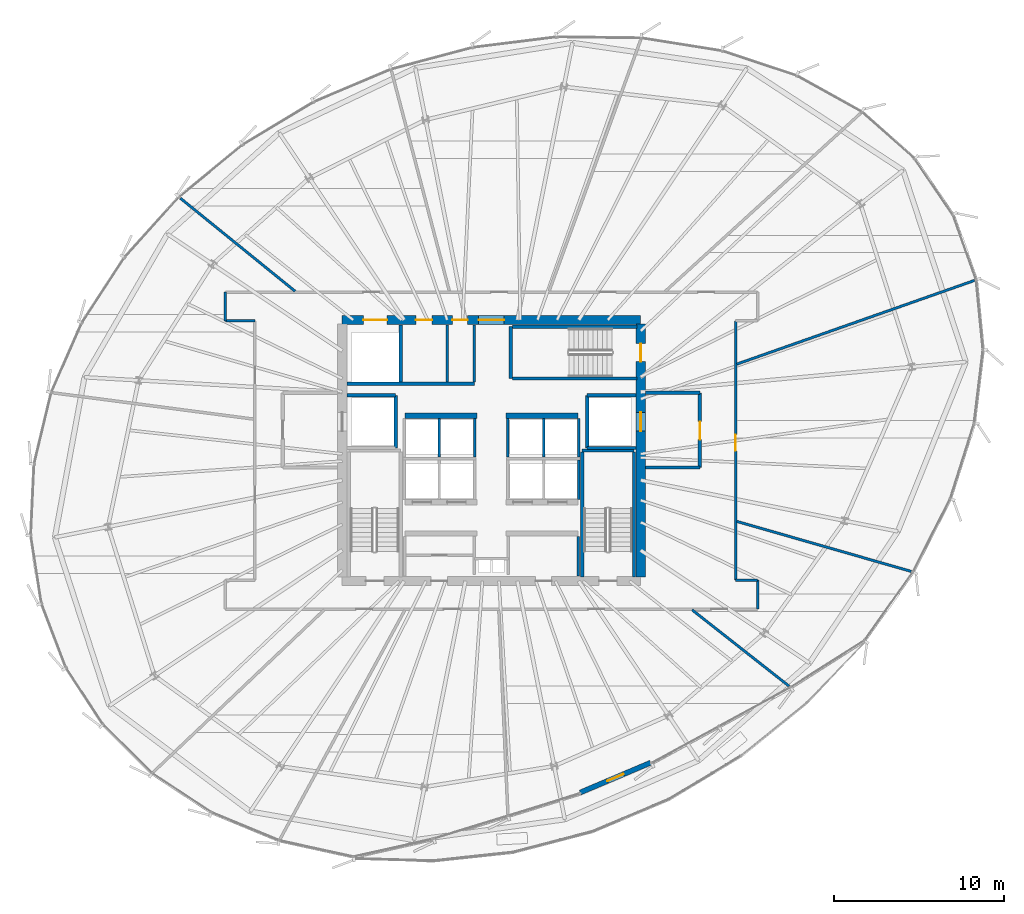
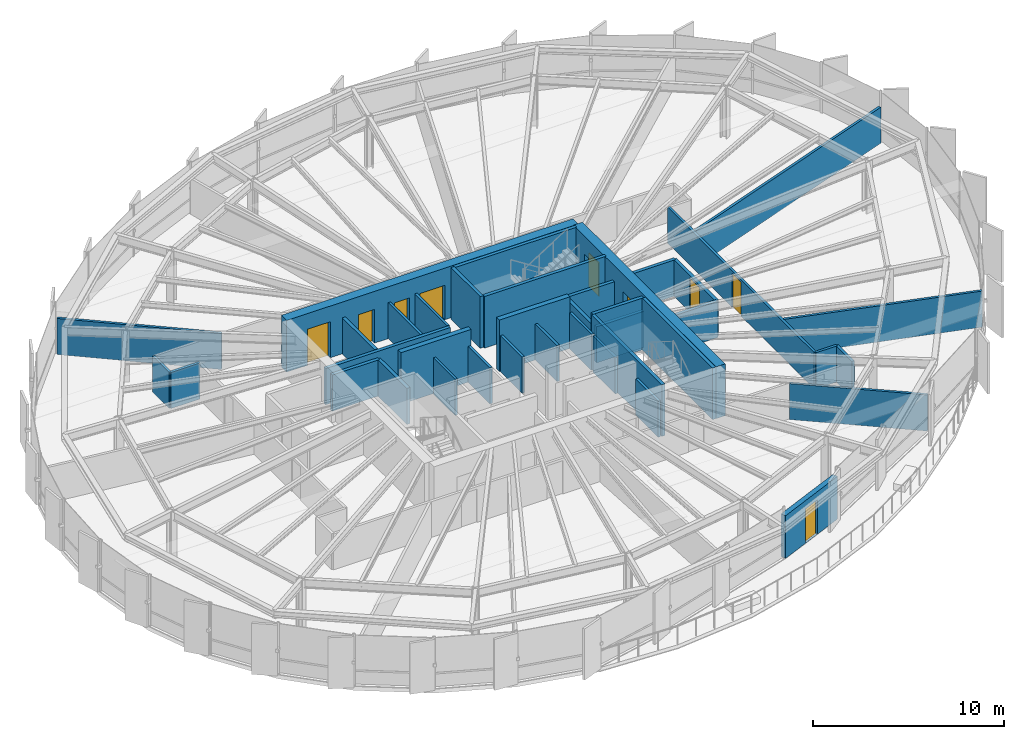
# One storey, part 30 of 36: 39 walls, 9 doors, 9 openings.
"""IFC4 building model written with IfcOpenShell, lengths in metres."""

from ifc_helpers import new_model, si_unit, direction, frame, frame_2d, origin, place, context, subcontext, project, spatial, rectangle, extrude, source, transform, mapped, material, layer, layer_set, type_object, element, fill, save


model = new_model("IFC4")

# Units and contexts
model_context = context("Model", 3, precision=1e-05, world=origin(), true_north=direction((0.0, 1.0)))
body_context = subcontext(model_context, "Body", "Model", "MODEL_VIEW")
ifc_project = project(units=[si_unit("LENGTHUNIT", "METRE"), si_unit("AREAUNIT", "SQUARE_METRE"), si_unit("VOLUMEUNIT", "CUBIC_METRE"), si_unit("PLANEANGLEUNIT", "RADIAN"), si_unit("MASSUNIT", "GRAM", prefix="KILO"), si_unit("THERMODYNAMICTEMPERATUREUNIT", "KELVIN")], contexts=[model_context])

# Site, building, storey
site_placement = place(None, origin())
site = spatial("IfcSite", under=ifc_project, at=site_placement, CompositionType="ELEMENT")
building_placement = place(site_placement, origin())
building = spatial("IfcBuilding", under=site, at=building_placement, Name="Kethvar Cultural Tower", CompositionType="ELEMENT")
storey_placement = place(building_placement, frame((0.0, 0.0, 143.0)))
storey = spatial("IfcBuildingStorey", under=building, at=storey_placement, Name="L36", CompositionType="ELEMENT", Elevation=143.0)

# Wall, openings, doors
ifc_material_1 = material(Name="Concrete C60/75", Category="concrete")
ifc_layer_1 = layer(ifc_material_1, 0.550048828125, Name="Concrete C60/75", Category="concrete")
ifc_layer_set_1 = layer_set([ifc_layer_1], Name="Concrete C60/75 (550 mm)")
wall_type_1 = type_object("IfcWallType", Name="WL-CORE-550", PredefinedType="SHEAR", material=ifc_layer_set_1)
wall_1_placement = place(storey_placement, frame((55.60009765625, 35.5, 0.0), z_axis=(0.0, 0.0, 1.0), x_axis=(-1.0, 0.0, 0.0)))
wall_1 = element("IfcWall", 1, at=wall_1_placement, inside=storey, type_object=wall_type_1, Name="L36 Core Shear Wall N", PredefinedType="SHEAR", context=body_context, shape_type="SweptSolid", body=[
    extrude(rectangle(XDim=17.60009765625, YDim=0.550048828125, at=frame_2d((8.800048828125, 0.0))), origin(), (0.0, 0.0, 1.0), 3.300048828125),
])
opening_1_placement = place(wall_1_placement, frame((8.050048828125, 0.0, 0.0)))
opening_1 = element("IfcOpeningElement", 2, at=opening_1_placement, cuts=wall_1, Name="Opening D-L36-LN", PredefinedType="OPENING", context=body_context, shape_type="SweptSolid", body=[
    extrude(rectangle(XDim=1.5, YDim=2.199951171875, at=frame_2d((0.75, 1.10009765625))), frame((0.0, 0.284912109375, 0.0), z_axis=(0.0, -1.0, 0.0), x_axis=(1.0, 0.0, 0.0)), (0.0, 0.0, 1.0), 0.570068359375),
])
opening_2_placement = place(wall_1_placement, frame((14.949951171875, 0.0, 0.0)))
opening_2 = element("IfcOpeningElement", 3, at=opening_2_placement, cuts=wall_1, Name="Opening LD-G1", PredefinedType="OPENING", context=body_context, shape_type="SweptSolid", body=[
    extrude(rectangle(XDim=1.39990234375, YDim=2.300048828125, at=frame_2d((0.699951171875, 1.14990234375))), frame((0.0, 0.284912109375, 0.0), z_axis=(0.0, -1.0, 0.0), x_axis=(1.0, 0.0, 0.0)), (0.0, 0.0, 1.0), 0.570068359375),
])
opening_3_placement = place(wall_1_placement, frame((12.300048828125, 0.0, 0.0)))
opening_3 = element("IfcOpeningElement", 4, at=opening_3_placement, cuts=wall_1, Name="Opening D-L36-W1", PredefinedType="OPENING", context=body_context, shape_type="SweptSolid", body=[
    extrude(rectangle(XDim=0.949951171875, YDim=2.14990234375, at=frame_2d((0.47509765625, 1.074951171875))), frame((0.0, 0.284912109375, 0.0), z_axis=(0.0, -1.0, 0.0), x_axis=(1.0, 0.0, 0.0)), (0.0, 0.0, 1.0), 0.570068359375),
])
opening_4_placement = place(wall_1_placement, frame((10.199951171875, 0.0, 0.0)))
opening_4 = element("IfcOpeningElement", 5, at=opening_4_placement, cuts=wall_1, Name="Opening D-L36-W2", PredefinedType="OPENING", context=body_context, shape_type="SweptSolid", body=[
    extrude(rectangle(XDim=0.89990234375, YDim=2.14990234375, at=frame_2d((0.449951171875, 1.074951171875))), frame((0.0, 0.284912109375, 0.0), z_axis=(0.0, -1.0, 0.0), x_axis=(1.0, 0.0, 0.0)), (0.0, 0.0, 1.0), 0.570068359375),
])
ifc_material_2 = material(Name="Architectural Oak Timber", Category="wood")
door_type_1 = type_object("IfcDoorType", Name="DR-DBL-FD60-1500", OperationType="DOUBLE_DOOR_SINGLE_SWING", PredefinedType="DOOR", material=ifc_material_2)
shared_shape_1 = source(origin(), body_context, "Body", "SweptSolid", [
    extrude(rectangle(XDim=1.5, YDim=2.199951171875, at=frame_2d((0.75, 1.10009765625))), frame((0.0, 0.02490234375, 0.0), z_axis=(0.0, -1.0, 0.0), x_axis=(1.0, 0.0, 0.0)), (0.0, 0.0, 1.0), 0.050048828125),
])
door_1_placement = place(opening_1_placement, origin())
door_1 = element("IfcDoor", 6, at=door_1_placement, inside=storey, type_object=door_type_1, Name="L36 Lift Lobby Concourse Door", OperationType="DOUBLE_DOOR_SINGLE_SWING", OverallHeight=2.199951171875, OverallWidth=1.5, PredefinedType="DOOR", context=body_context, shape_type="MappedRepresentation", body=[
    mapped(shared_shape_1, transform((0.0, 0.0, 0.0), scale=1.0)),
])
fill(opening_1, door_1)
ifc_material_3 = material(Name="Steel S355J2", Category="steel")
door_type_2 = type_object("IfcDoorType", Name="DR-LIFT-SLIDE-1400", OperationType="NOTDEFINED", PredefinedType="DOOR", material=ifc_material_3)
shared_shape_2 = source(origin(), body_context, "Body", "SweptSolid", [
    extrude(rectangle(XDim=1.39990234375, YDim=2.300048828125, at=frame_2d((0.699951171875, 1.14990234375))), frame((0.0, 0.02490234375, 0.0), z_axis=(0.0, -1.0, 0.0), x_axis=(1.0, 0.0, 0.0)), (0.0, 0.0, 1.0), 0.050048828125),
])
door_2_placement = place(opening_2_placement, origin())
door_2 = element("IfcDoor", 7, at=door_2_placement, inside=storey, type_object=door_type_2, Name="L36 Goods Lift Landing Door", OperationType="SLIDING_TO_RIGHT", OverallHeight=2.300048828125, OverallWidth=1.39990234375, PredefinedType="DOOR", context=body_context, shape_type="MappedRepresentation", body=[
    mapped(shared_shape_2, transform((0.0, 0.0, 0.0), scale=1.0)),
])
fill(opening_2, door_2)
door_type_3 = type_object("IfcDoorType", Name="DR-FD30-950", OperationType="NOTDEFINED", PredefinedType="DOOR", material=ifc_material_2)
shared_shape_3 = source(origin(), body_context, "Body", "SweptSolid", [
    extrude(rectangle(XDim=0.949951171875, YDim=2.14990234375, at=frame_2d((0.47509765625, 1.074951171875))), frame((0.0, 0.02490234375, 0.0), z_axis=(0.0, -1.0, 0.0), x_axis=(1.0, 0.0, 0.0)), (0.0, 0.0, 1.0), 0.050048828125),
])
door_3_placement = place(opening_3_placement, origin())
door_3 = element("IfcDoor", 8, at=door_3_placement, inside=storey, type_object=door_type_3, Name="L36 Public Washroom Door", OperationType="SINGLE_SWING_LEFT", OverallHeight=2.14990234375, OverallWidth=0.949951171875, PredefinedType="DOOR", context=body_context, shape_type="MappedRepresentation", body=[
    mapped(shared_shape_3, transform((0.0, 0.0, 0.0), scale=1.0)),
])
fill(opening_3, door_3)
door_type_4 = type_object("IfcDoorType", Name="DR-FD30-900", OperationType="NOTDEFINED", PredefinedType="DOOR", material=ifc_material_2)
shared_shape_4 = source(origin(), body_context, "Body", "SweptSolid", [
    extrude(rectangle(XDim=0.89990234375, YDim=2.14990234375, at=frame_2d((0.449951171875, 1.074951171875))), frame((0.0, 0.02490234375, 0.0), z_axis=(0.0, -1.0, 0.0), x_axis=(1.0, 0.0, 0.0)), (0.0, 0.0, 1.0), 0.050048828125),
])
door_4_placement = place(opening_4_placement, origin())
door_4 = element("IfcDoor", 9, at=door_4_placement, inside=storey, type_object=door_type_4, Name="L36 Accessible Washroom Door", OperationType="SINGLE_SWING_RIGHT", OverallHeight=2.14990234375, OverallWidth=0.89990234375, PredefinedType="DOOR", context=body_context, shape_type="MappedRepresentation", body=[
    mapped(shared_shape_4, transform((0.0, 0.0, 0.0), scale=1.0)),
])
fill(opening_4, door_4)

wall_2_placement = place(storey_placement, frame((55.60009765625, 20.340087890625, 0.0), z_axis=(0.0, 0.0, 1.0), x_axis=(0.0, 1.0, 0.0)))
wall_2 = element("IfcWall", 10, at=wall_2_placement, inside=storey, type_object=wall_type_1, Name="L36 Core Shear Wall E", PredefinedType="SHEAR", context=body_context, shape_type="SweptSolid", body=[
    extrude(rectangle(XDim=14.919921875, YDim=0.550048828125, at=frame_2d((7.4599609375, 0.0))), origin(), (0.0, 0.0, 1.0), 3.300048828125),
])
opening_5_placement = place(wall_2_placement, frame((12.7099609375, 0.0, 0.0)))
opening_5 = element("IfcOpeningElement", 11, at=opening_5_placement, cuts=wall_2, Name="Opening D-L36-S3", PredefinedType="OPENING", context=body_context, shape_type="SweptSolid", body=[
    extrude(rectangle(XDim=1.050048828125, YDim=2.14990234375, at=frame_2d((0.52490234375, 1.074951171875))), frame((0.0, 0.284912109375, 0.0), z_axis=(0.0, -1.0, 0.0), x_axis=(1.0, 0.0, 0.0)), (0.0, 0.0, 1.0), 0.570068359375),
])
opening_6_placement = place(wall_2_placement, frame((8.610107421875, 0.0, 0.0)))
opening_6 = element("IfcOpeningElement", 12, at=opening_6_placement, cuts=wall_2, Name="Opening LD-2", PredefinedType="OPENING", context=body_context, shape_type="SweptSolid", body=[
    extrude(rectangle(XDim=1.10009765625, YDim=2.199951171875, at=frame_2d((0.550048828125, 1.10009765625))), frame((0.0, 0.284912109375, 0.0), z_axis=(0.0, -1.0, 0.0), x_axis=(1.0, 0.0, 0.0)), (0.0, 0.0, 1.0), 0.570068359375),
])
door_type_5 = type_object("IfcDoorType", Name="DR-FD60-1050", OperationType="NOTDEFINED", PredefinedType="DOOR", material=ifc_material_3)
shared_shape_5 = source(origin(), body_context, "Body", "SweptSolid", [
    extrude(rectangle(XDim=1.050048828125, YDim=2.14990234375, at=frame_2d((0.52490234375, 1.074951171875))), frame((0.0, 0.02490234375, 0.0), z_axis=(0.0, -1.0, 0.0), x_axis=(1.0, 0.0, 0.0)), (0.0, 0.0, 1.0), 0.050048828125),
])
door_5_placement = place(opening_5_placement, origin())
door_5 = element("IfcDoor", 13, at=door_5_placement, inside=storey, type_object=door_type_5, Name="L36 Exit Stair 3 Door", OperationType="SINGLE_SWING_LEFT", OverallHeight=2.14990234375, OverallWidth=1.050048828125, PredefinedType="DOOR", context=body_context, shape_type="MappedRepresentation", body=[
    mapped(shared_shape_5, transform((0.0, 0.0, 0.0), scale=1.0)),
])
fill(opening_5, door_5)
door_type_6 = type_object("IfcDoorType", Name="DR-LIFT-SLIDE-1100", OperationType="NOTDEFINED", PredefinedType="DOOR", material=ifc_material_3)
shared_shape_6 = source(origin(), body_context, "Body", "SweptSolid", [
    extrude(rectangle(XDim=1.10009765625, YDim=2.199951171875, at=frame_2d((0.550048828125, 1.10009765625))), frame((0.0, 0.02490234375, 0.0), z_axis=(0.0, -1.0, 0.0), x_axis=(1.0, 0.0, 0.0)), (0.0, 0.0, 1.0), 0.050048828125),
])
door_6_placement = place(opening_6_placement, origin())
door_6 = element("IfcDoor", 14, at=door_6_placement, inside=storey, type_object=door_type_6, Name="L36 Firefighting Lift Landing Door FFL-02", OperationType="SLIDING_TO_RIGHT", OverallHeight=2.199951171875, OverallWidth=1.10009765625, PredefinedType="DOOR", context=body_context, shape_type="MappedRepresentation", body=[
    mapped(shared_shape_6, transform((0.0, 0.0, 0.0), scale=1.0)),
])
fill(opening_6, door_6)

# Wall, opening, door
ifc_material_4 = material(Name="Concrete C40/50", Category="concrete")
ifc_layer_2 = layer(ifc_material_4, 0.300048828125, Name="Concrete C40/50", Category="concrete")
ifc_layer_set_2 = layer_set([ifc_layer_2], Name="Concrete C40/50 (300 mm)")
wall_type_2 = type_object("IfcWallType", Name="WL-EXT-TER-300", PredefinedType="SOLIDWALL", material=ifc_layer_set_2)
wall_3_placement = place(storey_placement, frame((56.19384765625, 9.38818359375, 0.0), z_axis=(0.0, 0.0, 1.0), x_axis=(-0.920663095643, -0.390358123166, 0.0)))
wall_3 = element("IfcWall", 15, at=wall_3_placement, inside=storey, type_object=wall_type_2, Name="L36 Sky Terrace Access Wall", PredefinedType="SOLIDWALL", context=body_context, shape_type="SweptSolid", body=[
    extrude(rectangle(XDim=4.51318359375, YDim=0.300048828125, at=frame_2d((2.256591796875, 0.0))), origin(), (0.0, 0.0, 1.0), 2.72509765625),
])
opening_7_placement = place(wall_3_placement, frame((1.7314453125, 0.0, 0.0)))
opening_7 = element("IfcOpeningElement", 16, at=opening_7_placement, cuts=wall_3, Name="Opening D-L36-T1", PredefinedType="OPENING", context=body_context, shape_type="SweptSolid", body=[
    extrude(rectangle(XDim=1.050048828125, YDim=2.199951171875, at=frame_2d((0.52490234375, 1.10009765625))), frame((0.0, 0.159912109375, 0.0), z_axis=(0.0, -1.0, 0.0), x_axis=(1.0, 0.0, 0.0)), (0.0, 0.0, 1.0), 0.320068359375),
])
ifc_material_5 = material(Name="Aluminium 6063-T6", Category="aluminium")
door_type_7 = type_object("IfcDoorType", Name="DR-EXT-TER-1050", OperationType="NOTDEFINED", PredefinedType="DOOR", material=ifc_material_5)
shared_shape_7 = source(origin(), body_context, "Body", "SweptSolid", [
    extrude(rectangle(XDim=1.050048828125, YDim=2.199951171875, at=frame_2d((0.52490234375, 1.10009765625))), frame((0.0, 0.02490234375, 0.0), z_axis=(0.0, -1.0, 0.0), x_axis=(1.0, 0.0, 0.0)), (0.0, 0.0, 1.0), 0.050048828125),
])
door_7_placement = place(opening_7_placement, origin())
door_7 = element("IfcDoor", 17, at=door_7_placement, inside=storey, type_object=door_type_7, Name="L36 Sky Terrace Access Door D-L36-T1", OperationType="SINGLE_SWING_LEFT", OverallHeight=2.199951171875, OverallWidth=1.050048828125, PredefinedType="DOOR", context=body_context, shape_type="MappedRepresentation", body=[
    mapped(shared_shape_7, transform((0.0, 0.0, 0.0), scale=1.0)),
])
fill(opening_7, door_7)

# Walls
ifc_material_6 = material(Name="Gypsum Fireboard Partition")
ifc_layer_3 = layer(ifc_material_6, 0.14990234375, Name="Gypsum Fireboard Partition")
ifc_layer_set_3 = layer_set([ifc_layer_3], Name="Gypsum Fireboard Partition (150 mm)")
wall_type_3 = type_object("IfcWallType", Name="WL-FIRE-150", PredefinedType="PARTITIONING", material=ifc_layer_set_3)
wall_4_placement = place(storey_placement, frame((51.919921875, 20.385009765625, 0.0), z_axis=(0.0, 0.0, 1.0), x_axis=(0.0, 1.0, 0.0)))
element("IfcWall", 18, at=wall_4_placement, inside=storey, type_object=wall_type_3, Name="L36 Reclaimed East Outer Wall", PredefinedType="PARTITIONING", context=body_context, shape_type="SweptSolid", body=[
    extrude(rectangle(XDim=2.344970703125, YDim=0.14990234375, at=frame_2d((1.17236328125, 0.0))), origin(), (0.0, 0.0, 1.0), 2.304931640625),
])
wall_5_placement = place(storey_placement, frame((51.949951171875, 24.919921875, 0.0), z_axis=(0.0, 0.0, 1.0), x_axis=(0.0, 1.0, 0.0)))
element("IfcWall", 19, at=wall_5_placement, inside=storey, type_object=wall_type_3, Name="L36 Mid-Rise Lift Shaft Outer Wall E", PredefinedType="PARTITIONING", context=body_context, shape_type="SweptSolid", body=[
    extrude(rectangle(XDim=2.320068359375, YDim=0.14990234375, at=frame_2d((1.16015625, 0.0))), origin(), (0.0, 0.0, 1.0), 2.304931640625),
])
for number, where, z_axis, x_axis, name in (
    (20, (43.72509765625, 27.409912109375, 0.0), (0.0, 0.0, 1.0), (0.0, 1.0, 0.0), "L36 High-Rise Lift Shaft Divider W"),
    (21, (45.824951171875, 27.409912109375, 0.0), (0.0, 0.0, 1.0), (0.0, 1.0, 0.0), "L36 High-Rise Lift Shaft Concourse Wall W"),
    (22, (47.77490234375, 27.409912109375, 0.0), (0.0, 0.0, 1.0), (0.0, 1.0, 0.0), "L36 High-Rise Lift Shaft Concourse Wall E"),
    (23, (49.875, 27.409912109375, 0.0), (0.0, 0.0, 1.0), (0.0, 1.0, 0.0), "L36 High-Rise Lift Shaft Divider E"),
    (24, (51.949951171875, 27.409912109375, 0.0), (0.0, 0.0, 1.0), (0.0, 1.0, 0.0), "L36 High-Rise Lift Shaft Outer Wall E"),
):
    element("IfcWall", number, at=place(storey_placement, frame(where, z_axis=z_axis, x_axis=x_axis)), inside=storey, type_object=wall_type_3, Name=name, PredefinedType="PARTITIONING", context=body_context, shape_type="SweptSolid", body=[
        extrude(rectangle(XDim=2.27001953125, YDim=0.14990234375, at=frame_2d((1.135009765625, 0.0))), origin(), (0.0, 0.0, 1.0), 2.304931640625),
    ])
wall_6_placement = place(storey_placement, frame((45.800048828125, 31.85009765625, 0.0), z_axis=(0.0, 0.0, 1.0), x_axis=(0.0, 1.0, 0.0)))
element("IfcWall", 25, at=wall_6_placement, inside=storey, type_object=wall_type_3, Name="L36 Sanitary Spine Wall", PredefinedType="PARTITIONING", context=body_context, shape_type="SweptSolid", body=[
    extrude(rectangle(XDim=3.364990234375, YDim=0.14990234375, at=frame_2d((1.6826171875, 0.0))), origin(), (0.0, 0.0, 1.0), 2.304931640625),
])
wall_7_placement = place(storey_placement, frame((62.5, 18.449951171875, 0.0), z_axis=(0.0, 0.0, 1.0), x_axis=(0.0, 1.0, 0.0)))
element("IfcWall", 26, at=wall_7_placement, inside=storey, type_object=wall_type_3, Name="L36 Corridor Rated Wall ES", PredefinedType="PARTITIONING", context=body_context, shape_type="SweptSolid", body=[
    extrude(rectangle(XDim=1.699951171875, YDim=0.14990234375, at=frame_2d((0.85009765625, 0.0))), origin(), (0.0, 0.0, 1.0), 2.304931640625),
])
wall_8_placement = place(storey_placement, frame((62.5, 20.14990234375, 0.0), z_axis=(0.0, 0.0, 1.0), x_axis=(-1.0, 0.0, 0.0)))
element("IfcWall", 27, at=wall_8_placement, inside=storey, type_object=wall_type_3, Name="L36 Corridor Rated Wall EST", PredefinedType="PARTITIONING", context=body_context, shape_type="SweptSolid", body=[
    extrude(rectangle(XDim=1.300048828125, YDim=0.14990234375, at=frame_2d((0.64990234375, 0.0))), origin(), (0.0, 0.0, 1.0), 2.304931640625),
])

# Wall, opening, door
wall_9_placement = place(storey_placement, frame((61.199951171875, 20.14990234375, 0.0), z_axis=(0.0, 0.0, 1.0), x_axis=(0.0, 1.0, 0.0)))
wall_9 = element("IfcWall", 28, at=wall_9_placement, inside=storey, type_object=wall_type_3, Name="L36 Corridor Rated Wall EM", PredefinedType="PARTITIONING", context=body_context, shape_type="SweptSolid", body=[
    extrude(rectangle(XDim=15.300048828125, YDim=0.14990234375, at=frame_2d((7.64990234375, 0.0))), origin(), (0.0, 0.0, 1.0), 2.304931640625),
])
opening_8_placement = place(wall_9_placement, frame((7.6337890625, 0.0, 0.0)))
opening_8 = element("IfcOpeningElement", 29, at=opening_8_placement, cuts=wall_9, Name="Opening D-L36-05", PredefinedType="OPENING", context=body_context, shape_type="SweptSolid", body=[
    extrude(rectangle(XDim=0.949951171875, YDim=2.14990234375, at=frame_2d((0.47509765625, 1.074951171875))), frame((0.0, 0.0849609375, 0.0), z_axis=(0.0, -1.0, 0.0), x_axis=(1.0, 0.0, 0.0)), (0.0, 0.0, 1.0), 0.169921875),
])
door_8_placement = place(opening_8_placement, origin())
door_8 = element("IfcDoor", 30, at=door_8_placement, inside=storey, type_object=door_type_3, Name="L36 Modernist Music Salon 05 Door", OperationType="SINGLE_SWING_LEFT", OverallHeight=2.14990234375, OverallWidth=0.949951171875, PredefinedType="DOOR", context=body_context, shape_type="MappedRepresentation", body=[
    mapped(shared_shape_3, transform((0.0, 0.0, 0.0), scale=1.0)),
])
fill(opening_8, door_8)

# Walls
wall_10_placement = place(storey_placement, frame((31.10009765625, 37.14990234375, 0.0), z_axis=(0.0, 0.0, 1.0), x_axis=(0.0, -1.0, 0.0)))
element("IfcWall", 31, at=wall_10_placement, inside=storey, type_object=wall_type_3, Name="L36 Corridor Rated Wall WN", PredefinedType="PARTITIONING", context=body_context, shape_type="SweptSolid", body=[
    extrude(rectangle(XDim=1.699951171875, YDim=0.14990234375, at=frame_2d((0.85009765625, 0.0))), origin(), (0.0, 0.0, 1.0), 2.304931640625),
])
wall_11_placement = place(storey_placement, frame((31.10009765625, 35.449951171875, 0.0), z_axis=(0.0, 0.0, 1.0), x_axis=(1.0, 0.0, 0.0)))
element("IfcWall", 32, at=wall_11_placement, inside=storey, type_object=wall_type_3, Name="L36 Corridor Rated Wall WNT", PredefinedType="PARTITIONING", context=body_context, shape_type="SweptSolid", body=[
    extrude(rectangle(XDim=1.75, YDim=0.14990234375, at=frame_2d((0.875, 0.0))), origin(), (0.0, 0.0, 1.0), 2.304931640625),
])
ifc_layer_4 = layer(ifc_material_4, 0.199951171875, Name="Concrete C40/50", Category="concrete")
ifc_layer_set_4 = layer_set([ifc_layer_4], Name="Concrete C40/50 (200 mm)")
wall_type_4 = type_object("IfcWallType", Name="WL-FIRE-200", PredefinedType="PARTITIONING", material=ifc_layer_set_4)
wall_12_placement = place(storey_placement, frame((41.14990234375, 27.949951171875, 0.0), z_axis=(0.0, 0.0, 1.0), x_axis=(0.0, 1.0, 0.0)))
element("IfcWall", 33, at=wall_12_placement, inside=storey, type_object=wall_type_4, Name="L36 FFL-01 Shaft Inner Wall", PredefinedType="PARTITIONING", context=body_context, shape_type="SweptSolid", body=[
    extrude(rectangle(XDim=3.10009765625, YDim=0.199951171875, at=frame_2d((1.550048828125, 0.0))), origin(), (0.0, 0.0, 1.0), 2.304931640625),
])
wall_13_placement = place(storey_placement, frame((38.284912109375, 31.050048828125, 0.0), z_axis=(0.0, 0.0, 1.0), x_axis=(1.0, 0.0, 0.0)))
element("IfcWall", 34, at=wall_13_placement, inside=storey, type_object=wall_type_4, Name="L36 FFL-01 Shaft North Wall", PredefinedType="PARTITIONING", context=body_context, shape_type="SweptSolid", body=[
    extrude(rectangle(XDim=2.864990234375, YDim=0.199951171875, at=frame_2d((1.4326171875, 0.0))), origin(), (0.0, 0.0, 1.0), 2.304931640625),
])
wall_14_placement = place(storey_placement, frame((52.449951171875, 27.949951171875, 0.0), z_axis=(0.0, 0.0, 1.0), x_axis=(0.0, 1.0, 0.0)))
element("IfcWall", 35, at=wall_14_placement, inside=storey, type_object=wall_type_4, Name="L36 FFL-02 Shaft Inner Wall", PredefinedType="PARTITIONING", context=body_context, shape_type="SweptSolid", body=[
    extrude(rectangle(XDim=3.10009765625, YDim=0.199951171875, at=frame_2d((1.550048828125, 0.0))), origin(), (0.0, 0.0, 1.0), 2.304931640625),
])
for number, where, z_axis, x_axis, name in (
    (36, (52.449951171875, 27.949951171875, 0.0), (0.0, 0.0, 1.0), (1.0, 0.0, 0.0), "L36 FFL-02 Shaft South Wall"),
    (37, (52.449951171875, 31.050048828125, 0.0), (0.0, 0.0, 1.0), (1.0, 0.0, 0.0), "L36 FFL-02 Shaft North Wall"),
):
    element("IfcWall", number, at=place(storey_placement, frame(where, z_axis=z_axis, x_axis=x_axis)), inside=storey, type_object=wall_type_4, Name=name, PredefinedType="PARTITIONING", context=body_context, shape_type="SweptSolid", body=[
        extrude(rectangle(XDim=2.864990234375, YDim=0.199951171875, at=frame_2d((1.4326171875, 0.0))), origin(), (0.0, 0.0, 1.0), 2.304931640625),
    ])

# Wall, opening, door
wall_15_placement = place(storey_placement, frame((59.10009765625, 26.800048828125, 0.0), z_axis=(0.0, 0.0, 1.0), x_axis=(0.0, 1.0, 0.0)))
wall_15 = element("IfcWall", 38, at=wall_15_placement, inside=storey, type_object=wall_type_4, Name="L36 Firefighting Lobby 2 Wall", PredefinedType="PARTITIONING", context=body_context, shape_type="SweptSolid", body=[
    extrude(rectangle(XDim=4.39990234375, YDim=0.199951171875, at=frame_2d((2.199951171875, 0.0))), origin(), (0.0, 0.0, 1.0), 2.304931640625),
])
opening_9_placement = place(wall_15_placement, frame((1.64990234375, 0.0, 0.0)))
opening_9 = element("IfcOpeningElement", 39, at=opening_9_placement, cuts=wall_15, Name="Opening D-L36-F2", PredefinedType="OPENING", context=body_context, shape_type="SweptSolid", body=[
    extrude(rectangle(XDim=1.050048828125, YDim=2.14990234375, at=frame_2d((0.52490234375, 1.074951171875))), frame((0.0, 0.10986328125, 0.0), z_axis=(0.0, -1.0, 0.0), x_axis=(1.0, 0.0, 0.0)), (0.0, 0.0, 1.0), 0.219970703125),
])
door_9_placement = place(opening_9_placement, origin())
door_9 = element("IfcDoor", 40, at=door_9_placement, inside=storey, type_object=door_type_5, Name="L36 Firefighting Lobby 2 Fire Door", OperationType="SINGLE_SWING_LEFT", OverallHeight=2.14990234375, OverallWidth=1.050048828125, PredefinedType="DOOR", context=body_context, shape_type="MappedRepresentation", body=[
    mapped(shared_shape_5, transform((0.0, 0.0, 0.0), scale=1.0)),
])
fill(opening_9, door_9)

# Walls
for number, where, z_axis, x_axis, name in (
    (41, (55.885009765625, 26.800048828125, 0.0), (0.0, 0.0, 1.0), (1.0, 0.0, 0.0), "L36 FF Lobby 2 South Wall"),
    (42, (55.885009765625, 31.199951171875, 0.0), (0.0, 0.0, 1.0), (1.0, 0.0, 0.0), "L36 FF Lobby 2 North Wall"),
):
    element("IfcWall", number, at=place(storey_placement, frame(where, z_axis=z_axis, x_axis=x_axis)), inside=storey, type_object=wall_type_4, Name=name, PredefinedType="PARTITIONING", context=body_context, shape_type="SweptSolid", body=[
        extrude(rectangle(XDim=3.215087890625, YDim=0.199951171875, at=frame_2d((1.607421875, 0.0))), origin(), (0.0, 0.0, 1.0), 2.304931640625),
    ])
wall_16_placement = place(storey_placement, frame((41.449951171875, 31.85009765625, 0.0), z_axis=(0.0, 0.0, 1.0), x_axis=(0.0, 1.0, 0.0)))
element("IfcWall", 43, at=wall_16_placement, inside=storey, type_object=wall_type_4, Name="L36 NW Core Pocket Wall", PredefinedType="PARTITIONING", context=body_context, shape_type="SweptSolid", body=[
    extrude(rectangle(XDim=3.364990234375, YDim=0.199951171875, at=frame_2d((1.6826171875, 0.0))), origin(), (0.0, 0.0, 1.0), 2.304931640625),
])
wall_17_placement = place(storey_placement, frame((38.284912109375, 31.72998046875, 0.0), z_axis=(0.0, 0.0, 1.0), x_axis=(1.0, 0.0, 0.0)))
element("IfcWall", 44, at=wall_17_placement, inside=storey, type_object=wall_type_4, Name="L36 North Core Sanitary South Wall", PredefinedType="PARTITIONING", context=body_context, shape_type="SweptSolid", body=[
    extrude(rectangle(XDim=7.51513671875, YDim=0.199951171875, at=frame_2d((3.757568359375, 0.0))), origin(), (0.0, 0.0, 1.0), 2.304931640625),
])
ifc_material_7 = material(Name="Gypsum Acoustic Partition")
ifc_layer_5 = layer(ifc_material_7, 0.14990234375, Name="Gypsum Acoustic Partition")
ifc_layer_set_5 = layer_set([ifc_layer_5], Name="Gypsum Acoustic Partition (150 mm)")
wall_type_5 = type_object("IfcWallType", Name="WL-PART-150", PredefinedType="PARTITIONING", material=ifc_layer_set_5)
wall_18_placement = place(storey_placement, frame((58.636962890625, 18.400634765625, 0.0), z_axis=(0.0, 0.0, 1.0), x_axis=(0.786094042095, -0.618106913877, 0.0)))
element("IfcWall", 45, at=wall_18_placement, inside=storey, type_object=wall_type_5, Name="L36 Radial Partition Wall 04", PredefinedType="PARTITIONING", context=body_context, shape_type="SweptSolid", body=[
    extrude(rectangle(XDim=7.291259765625, YDim=0.14990234375, at=frame_2d((3.6455078125, 0.0))), origin(), (0.0, 0.0, 1.0), 2.304931640625),
])
wall_19_placement = place(storey_placement, frame((61.27685546875, 23.61962890625, 0.0), z_axis=(0.0, 0.0, 1.0), x_axis=(0.961271434094, -0.275603392568, 0.0)))
element("IfcWall", 46, at=wall_19_placement, inside=storey, type_object=wall_type_5, Name="L36 Radial Partition Wall 05", PredefinedType="PARTITIONING", context=body_context, shape_type="SweptSolid", body=[
    extrude(rectangle(XDim=10.70703125, YDim=0.14990234375, at=frame_2d((5.353515625, 0.0))), origin(), (0.0, 0.0, 1.0), 2.304931640625),
])
wall_20_placement = place(storey_placement, frame((61.275390625, 32.89697265625, 0.0), z_axis=(0.0, 0.0, 1.0), x_axis=(0.943252293623, 0.332076964837, 0.0)))
element("IfcWall", 47, at=wall_20_placement, inside=storey, type_object=wall_type_5, Name="L36 Radial Partition Wall 06", PredefinedType="PARTITIONING", context=body_context, shape_type="SweptSolid", body=[
    extrude(rectangle(XDim=14.866455078125, YDim=0.14990234375, at=frame_2d((7.43310546875, 0.0))), origin(), (0.0, 0.0, 1.0), 2.304931640625),
])
wall_21_placement = place(storey_placement, frame((35.216064453125, 37.200439453125, 0.0), z_axis=(0.0, 0.0, 1.0), x_axis=(-0.776920762639, 0.629598386736, 0.0)))
element("IfcWall", 48, at=wall_21_placement, inside=storey, type_object=wall_type_5, Name="L36 Radial Partition Wall 10", PredefinedType="PARTITIONING", context=body_context, shape_type="SweptSolid", body=[
    extrude(rectangle(XDim=8.70361328125, YDim=0.14990234375, at=frame_2d((4.351806640625, 0.0))), origin(), (0.0, 0.0, 1.0), 2.304931640625),
])
ifc_material_8 = material(Name="Moisture-Resistant Sanitary Chase Wall")
ifc_layer_6 = layer(ifc_material_8, 0.14990234375, Name="Moisture-Resistant Sanitary Chase Wall")
ifc_layer_set_6 = layer_set([ifc_layer_6], Name="Moisture-Resistant Sanitary Chase Wall (150 mm)")
wall_type_6 = type_object("IfcWallType", Name="WL-PLUMB-150", PredefinedType="PLUMBINGWALL", material=ifc_layer_set_6)
wall_22_placement = place(storey_placement, frame((44.199951171875, 31.85009765625, 0.0), z_axis=(0.0, 0.0, 1.0), x_axis=(0.0, 1.0, 0.0)))
element("IfcWall", 49, at=wall_22_placement, inside=storey, type_object=wall_type_6, Name="L36 Sanitary Plumbing Wall", PredefinedType="PLUMBINGWALL", context=body_context, shape_type="SweptSolid", body=[
    extrude(rectangle(XDim=3.364990234375, YDim=0.14990234375, at=frame_2d((1.6826171875, 0.0))), origin(), (0.0, 0.0, 1.0), 2.304931640625),
])
ifc_material_9 = material(Name="Concrete C50/60", Category="concrete")
ifc_layer_7 = layer(ifc_material_9, 0.300048828125, Name="Concrete C50/60", Category="concrete")
ifc_layer_set_7 = layer_set([ifc_layer_7], Name="Concrete C50/60 (300 mm)")
wall_type_7 = type_object("IfcWallType", Name="WL-SHAFT-300", PredefinedType="SHEAR", material=ifc_layer_set_7)
for number, where, z_axis, x_axis, name in (
    (50, (41.699951171875, 29.85009765625, 0.0), (0.0, 0.0, 1.0), (1.0, 0.0, 0.0), "L36 Core Lift Spine Wall MID3W"),
    (51, (47.64990234375, 29.85009765625, 0.0), (0.0, 0.0, 1.0), (1.0, 0.0, 0.0), "L36 Core Lift Spine Wall MID3E"),
):
    element("IfcWall", number, at=place(storey_placement, frame(where, z_axis=z_axis, x_axis=x_axis)), inside=storey, type_object=wall_type_7, Name=name, PredefinedType="SHEAR", context=body_context, shape_type="SweptSolid", body=[
        extrude(rectangle(XDim=4.25, YDim=0.300048828125, at=frame_2d((2.125, 0.0))), origin(), (0.0, 0.0, 1.0), 3.300048828125),
    ])
ifc_layer_8 = layer(ifc_material_9, 0.199951171875, Name="Concrete C50/60", Category="concrete")
ifc_layer_set_8 = layer_set([ifc_layer_8], Name="Concrete C50/60 (200 mm)")
wall_type_8 = type_object("IfcWallType", Name="WL-STSHAFT-200", PredefinedType="SHEAR", material=ifc_layer_set_8)
wall_23_placement = place(storey_placement, frame((52.14990234375, 27.800048828125, 0.0), z_axis=(0.0, 0.0, 1.0), x_axis=(1.0, 0.0, 0.0)))
element("IfcWall", 52, at=wall_23_placement, inside=storey, type_object=wall_type_8, Name="L36 ST-02 Stair Shaft Wall FAR", PredefinedType="SHEAR", context=body_context, shape_type="SweptSolid", body=[
    extrude(rectangle(XDim=3.06005859375, YDim=0.199951171875, at=frame_2d((1.530029296875, 0.0))), origin(), (0.0, 0.0, 1.0), 3.300048828125),
])
for number, where, z_axis, x_axis, name in (
    (53, (55.2099609375, 27.699951171875, 0.0), (0.0, 0.0, 1.0), (0.0, -1.0, 0.0), "L36 ST-02 Stair Shaft Wall LEFT"),
    (54, (52.14990234375, 20.35009765625, 0.0), (0.0, 0.0, 1.0), (0.0, 1.0, 0.0), "L36 ST-02 Stair Shaft Wall RIGHT"),
):
    element("IfcWall", number, at=place(storey_placement, frame(where, z_axis=z_axis, x_axis=x_axis)), inside=storey, type_object=wall_type_8, Name=name, PredefinedType="SHEAR", context=body_context, shape_type="SweptSolid", body=[
        extrude(rectangle(XDim=7.349853515625, YDim=0.199951171875, at=frame_2d((3.6748046875, 0.0))), origin(), (0.0, 0.0, 1.0), 3.300048828125),
    ])
wall_24_placement = place(storey_placement, frame((47.949951171875, 32.050048828125, 0.0), z_axis=(0.0, 0.0, 1.0), x_axis=(0.0, 1.0, 0.0)))
element("IfcWall", 55, at=wall_24_placement, inside=storey, type_object=wall_type_8, Name="L36 ST-03 Stair Shaft Wall FAR", PredefinedType="SHEAR", context=body_context, shape_type="SweptSolid", body=[
    extrude(rectangle(XDim=3.06005859375, YDim=0.199951171875, at=frame_2d((1.530029296875, 0.0))), origin(), (0.0, 0.0, 1.0), 3.300048828125),
])
for number, where, z_axis, x_axis, name in (
    (56, (48.050048828125, 35.110107421875, 0.0), (0.0, 0.0, 1.0), (1.0, 0.0, 0.0), "L36 ST-03 Stair Shaft Wall LEFT"),
    (57, (55.39990234375, 32.050048828125, 0.0), (0.0, 0.0, 1.0), (-1.0, 0.0, 0.0), "L36 ST-03 Stair Shaft Wall RIGHT"),
):
    element("IfcWall", number, at=place(storey_placement, frame(where, z_axis=z_axis, x_axis=x_axis)), inside=storey, type_object=wall_type_8, Name=name, PredefinedType="SHEAR", context=body_context, shape_type="SweptSolid", body=[
        extrude(rectangle(XDim=7.349853515625, YDim=0.199951171875, at=frame_2d((3.6748046875, 0.0))), origin(), (0.0, 0.0, 1.0), 3.300048828125),
    ])

save(model, "model.ifc")
